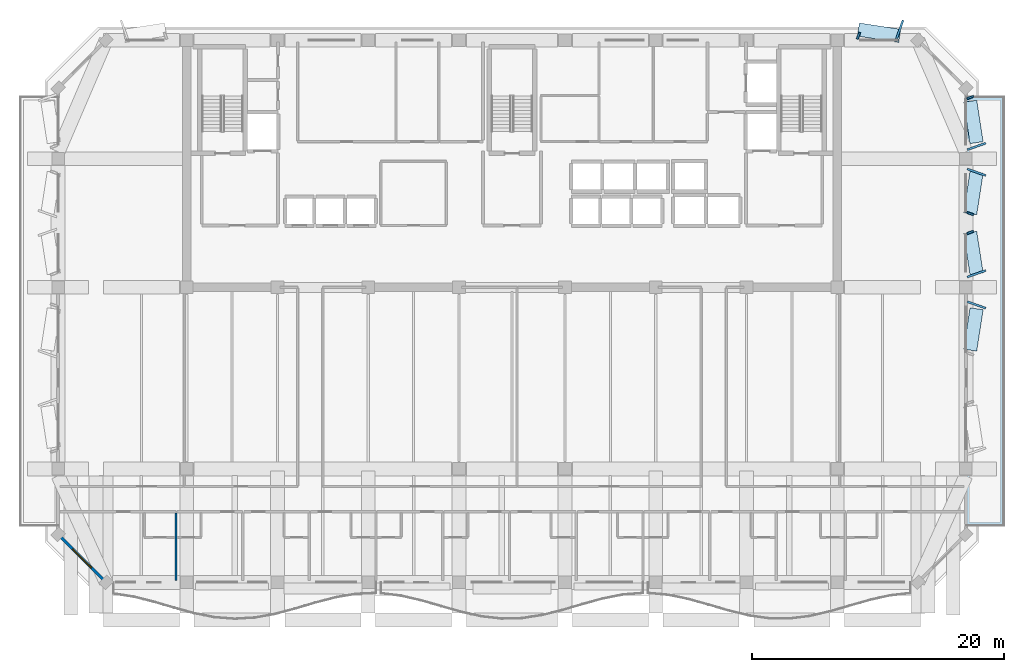
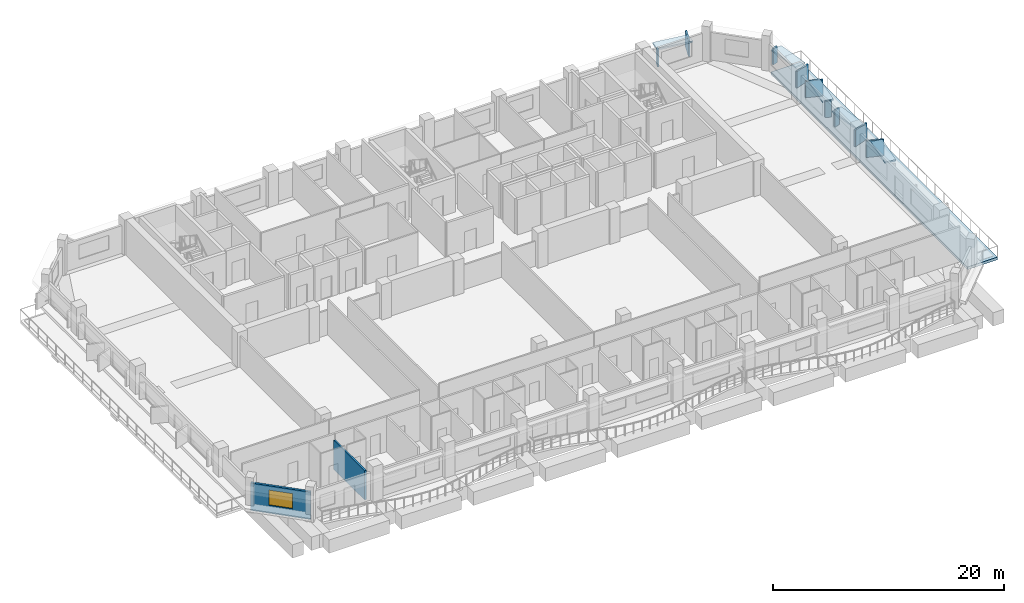
# One storey, part 3 of 13: 14 plates, 2 walls, 1 slab, 1 window, 1 opening.
"""IFC4 building model written with IfcOpenShell, lengths in metres."""

from ifc_helpers import new_model, si_unit, direction, frame, frame_2d, origin, origin_2d, place, context, subcontext, project, spatial, polyline, rectangle, outline, extrude, material, layer, layer_set, type_object, element, fill, save


model = new_model("IFC4")

# Units and contexts
model_context = context("Model", 3, precision=1e-05, world=origin(), true_north=direction((0.0, 1.0)))
body_context = subcontext(model_context, "Body", "Model", "MODEL_VIEW")
ifc_project = project(units=[si_unit("LENGTHUNIT", "METRE"), si_unit("AREAUNIT", "SQUARE_METRE"), si_unit("VOLUMEUNIT", "CUBIC_METRE"), si_unit("PLANEANGLEUNIT", "RADIAN"), si_unit("MASSUNIT", "GRAM", prefix="KILO")], contexts=[model_context])

# Site, building, storey
site_placement = place(None, origin())
site = spatial("IfcSite", under=ifc_project, at=site_placement, CompositionType="ELEMENT")
building_placement = place(site_placement, origin())
building = spatial("IfcBuilding", under=site, at=building_placement, Name="Kaelvorn Grand Hotel", CompositionType="ELEMENT")
storey_placement = place(building_placement, frame((0.0, 0.0, 229.14990234375)))
storey = spatial("IfcBuildingStorey", under=building, at=storey_placement, Name="L56", CompositionType="ELEMENT", Elevation=229.14990234375)

# Plates
ifc_material_1 = material(Name="Precast concrete C45/55", Category="concrete")
ifc_layer_1 = layer(ifc_material_1, 0.159912109375)
ifc_layer_set_1 = layer_set([ifc_layer_1], Name="Precast concrete C45/55")
plate_type_1 = type_object("IfcPlateType", Name="PL-FRAME-DEEP-1550", PredefinedType="USERDEFINED", material=ifc_layer_set_1)
for number, where, z_axis, x_axis, name in (
    (1, (78.844970703125, 28.0, 0.81494140625), (0.0, 0.0, 1.0), (0.333806859234, 0.942641491092, 0.0), "L56 Tilted Precast Window Frame Fin R-E02"),
    (2, (78.844970703125, 30.47509765625, 0.740234375), (0.0, 0.0, 1.0), (-0.333806859234, 0.942641491092, 0.0), "L56 Tilted Precast Window Frame Fin L-E03"),
    (3, (78.844970703125, 38.52490234375, 0.740234375), (0.0, 0.0, 1.0), (0.333806859234, 0.942641491092, 0.0), "L56 Tilted Precast Window Frame Fin R-E04"),
    (4, (78.844970703125, 40.574951171875, 0.81494140625), (0.0, 0.0, 1.0), (-0.333806859234, 0.942641491092, 0.0), "L56 Tilted Precast Window Frame Fin L-E05"),
    (5, (72.7548828125, 49.844970703125, 0.740234375), (0.0, 0.0, 1.0), (0.942641491092, -0.333806859234, 0.0), "L56 Tilted Precast Window Frame Fin R-N02"),
):
    element("IfcPlate", number, at=place(storey_placement, frame(where, z_axis=z_axis, x_axis=x_axis)), inside=storey, type_object=plate_type_1, Name=name, ObjectType="FLANGE_PLATE", PredefinedType="USERDEFINED", context=body_context, shape_type="SweptSolid", body=[
        extrude(rectangle(XDim=0.159912109375, YDim=1.550048828125, at=origin_2d()), origin(), (0.0, 0.0, 1.0), 1.719970703125),
    ])
ifc_layer_2 = layer(ifc_material_1, 0.159912109375)
ifc_layer_set_2 = layer_set([ifc_layer_2], Name="Precast concrete C45/55")
plate_type_2 = type_object("IfcPlateType", Name="PL-FRAME-HEAD-1050", PredefinedType="USERDEFINED", material=ifc_layer_set_2)
for number, where, z_axis, x_axis, name in (
    (6, (78.594970703125, 26.06005859375, 2.5), (0.0, 0.0, 1.0), (0.152554625759, 0.988295040036, 0.0), "L56 Precast Window Frame Head Hood H-E02"),
    (7, (78.594970703125, 32.114990234375, 2.35009765625), (0.0, 0.0, 1.0), (-0.152554625759, 0.988295040036, 0.0), "L56 Precast Window Frame Head Hood H-E03"),
    (8, (78.594970703125, 36.885009765625, 2.35009765625), (0.0, 0.0, 1.0), (0.152554625759, 0.988295040036, 0.0), "L56 Precast Window Frame Head Hood H-E04"),
    (9, (78.594970703125, 42.514892578125, 2.5), (0.0, 0.0, 1.0), (-0.152554625759, 0.988295040036, 0.0), "L56 Precast Window Frame Head Hood H-E05"),
    (10, (71.114990234375, 49.594970703125, 2.35009765625), (0.0, 0.0, 1.0), (0.988295040036, -0.152554625759, 0.0), "L56 Precast Window Frame Head Hood H-N02"),
):
    element("IfcPlate", number, at=place(storey_placement, frame(where, z_axis=z_axis, x_axis=x_axis)), inside=storey, type_object=plate_type_2, Name=name, ObjectType="FLANGE_PLATE", PredefinedType="USERDEFINED", context=body_context, shape_type="SweptSolid", body=[
        extrude(rectangle(XDim=3.320068359375, YDim=1.050048828125, at=origin_2d()), origin(), (0.0, 0.0, 1.0), 0.159912109375),
    ])
ifc_layer_3 = layer(ifc_material_1, 0.159912109375)
ifc_layer_set_3 = layer_set([ifc_layer_3], Name="Precast concrete C45/55")
plate_type_3 = type_object("IfcPlateType", Name="PL-FRAME-SHAL-550", PredefinedType="USERDEFINED", material=ifc_layer_set_3)
for number, where, z_axis, x_axis, name in (
    (11, (78.344970703125, 33.7548828125, 0.740234375), (0.0, 0.0, 1.0), (-0.333806859234, 0.942641491092, 0.0), "L56 Tilted Precast Window Frame Fin R-E03"),
    (12, (78.344970703125, 35.2451171875, 0.740234375), (0.0, 0.0, 1.0), (0.333806859234, 0.942641491092, 0.0), "L56 Tilted Precast Window Frame Fin L-E04"),
    (13, (78.344970703125, 44.455078125, 0.81494140625), (0.0, 0.0, 1.0), (-0.333806859234, 0.942641491092, 0.0), "L56 Tilted Precast Window Frame Fin R-E05"),
    (14, (69.47509765625, 49.344970703125, 0.740234375), (0.0, 0.0, 1.0), (0.942641491092, -0.333806859234, 0.0), "L56 Tilted Precast Window Frame Fin L-N02"),
):
    element("IfcPlate", number, at=place(storey_placement, frame(where, z_axis=z_axis, x_axis=x_axis)), inside=storey, type_object=plate_type_3, Name=name, ObjectType="FLANGE_PLATE", PredefinedType="USERDEFINED", context=body_context, shape_type="SweptSolid", body=[
        extrude(rectangle(XDim=0.159912109375, YDim=0.550048828125, at=origin_2d()), origin(), (0.0, 0.0, 1.0), 1.719970703125),
    ])

# Slab
ifc_material_2 = material(Name="Concrete C40/50", Category="concrete")
ifc_layer_4 = layer(ifc_material_2, 0.280029296875)
ifc_layer_set_4 = layer_set([ifc_layer_4], Name="Concrete C40/50")
slab_type = type_object("IfcSlabType", Name="SLB-TERR-280-C40", PredefinedType="ROOF", material=ifc_layer_set_4)
slab_placement = place(storey_placement, frame((0.0, 0.0, -0.27978515625)))
element("IfcSlab", 15, at=slab_placement, inside=storey, type_object=slab_type, Name="L56 Setback Sky Terrace Roof Slab E", PredefinedType="ROOF", context=body_context, shape_type="SweptSolid", body=[
    extrude(outline(polyline([(78.0, 10.5), (81.0, 10.5), (81.0, 44.5), (78.0, 44.5), (78.0, 10.5)])), origin(), (0.0, 0.0, 1.0), 0.27978515625),
])

# Wall, opening, window
ifc_layer_5 = layer(ifc_material_2, 0.219970703125)
ifc_layer_set_5 = layer_set([ifc_layer_5], Name="Concrete C40/50")
wall_type_1 = type_object("IfcWallType", Name="WL-EXT-220-C40", PredefinedType="SOLIDWALL", material=ifc_layer_set_5)
wall_1_placement = place(storey_placement, frame((6.0, 9.800048828125, 0.0), z_axis=(0.0, 0.0, 1.0), x_axis=(0.707106781187, -0.707106781187, 0.0)))
wall_1 = element("IfcWall", 16, at=wall_1_placement, inside=storey, type_object=wall_type_1, Name="L56 Exterior Architectural Concrete Wall 08", PredefinedType="SOLIDWALL", context=body_context, shape_type="SweptSolid", body=[
    extrude(rectangle(XDim=5.3740234375, YDim=0.219970703125, at=frame_2d((2.68701171875, 0.0))), origin(), (0.0, 0.0, 1.0), 2.91015625),
])
opening_placement = place(wall_1_placement, frame((1.636962890625, 0.0, 0.85009765625)))
opening = element("IfcOpeningElement", 17, at=opening_placement, cuts=wall_1, Name="Opening W7", PredefinedType="OPENING", context=body_context, shape_type="SweptSolid", body=[
    extrude(rectangle(XDim=2.10009765625, YDim=1.60009765625, at=frame_2d((1.050048828125, 0.800048828125))), frame((0.0, 0.1201171875, 0.0), z_axis=(0.0, -1.0, 0.0), x_axis=(1.0, 0.0, 0.0)), (0.0, 0.0, 1.0), 0.239990234375),
])
ifc_material_3 = material(Name="Laminated Low-E Glass", Category="glass")
window_type = type_object("IfcWindowType", Name="WIN-CHM-2100x1600", PartitioningType="SINGLE_PANEL", PredefinedType="WINDOW", material=ifc_material_3)
window_placement = place(opening_placement, origin())
window = element("IfcWindow", 18, at=window_placement, inside=storey, type_object=window_type, Name="L56 Chamfered 45-Degree Corner Window SW", OverallHeight=1.60009765625, OverallWidth=2.10009765625, PartitioningType="SINGLE_PANEL", PredefinedType="WINDOW", context=body_context, shape_type="SweptSolid", body=[
    extrude(rectangle(XDim=2.10009765625, YDim=1.60009765625, at=frame_2d((1.050048828125, 0.800048828125))), frame((0.0, 0.030029296875, 0.0), z_axis=(0.0, -1.0, 0.0), x_axis=(1.0, 0.0, 0.0)), (0.0, 0.0, 1.0), 0.06005859375),
])
fill(opening, window)

# Wall
ifc_material_4 = material(Name="Acoustic Gypsum & Stud Partition")
ifc_layer_6 = layer(ifc_material_4, 0.179931640625)
ifc_layer_set_6 = layer_set([ifc_layer_6], Name="Acoustic Gypsum & Stud Partition")
wall_type_2 = type_object("IfcWallType", Name="WL-PART-180-EI60", PredefinedType="PARTITIONING", material=ifc_layer_set_6)
wall_2_placement = place(storey_placement, frame((15.341796875, 6.14990234375, 0.0), z_axis=(0.0, 0.0, 1.0), x_axis=(0.0, 1.0, 0.0)))
element("IfcWall", 19, at=wall_2_placement, inside=storey, type_object=wall_type_2, Name="L56 Ambassador Sky Suite L56-01 E Partition", PredefinedType="PARTITIONING", context=body_context, shape_type="SweptSolid", body=[
    extrude(rectangle(XDim=5.35498046875, YDim=0.179931640625, at=frame_2d((2.677490234375, 0.0))), origin(), (0.0, 0.0, 1.0), 3.080078125),
])

save(model, "model.ifc")
